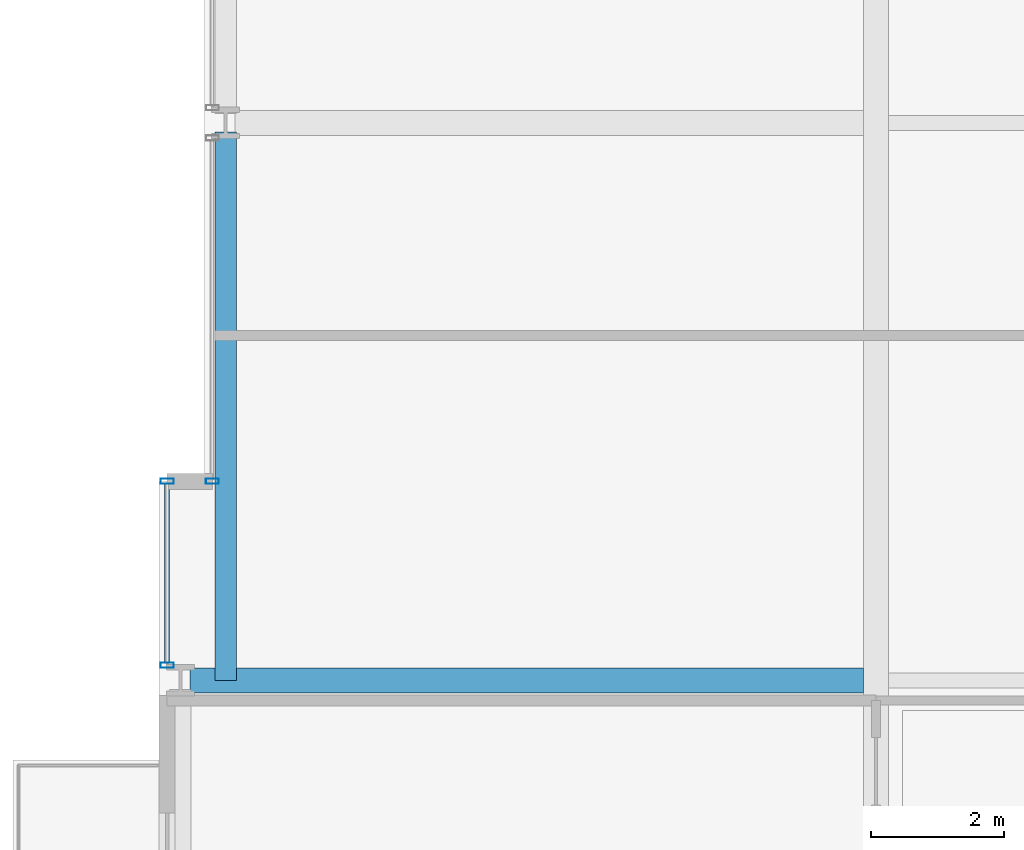
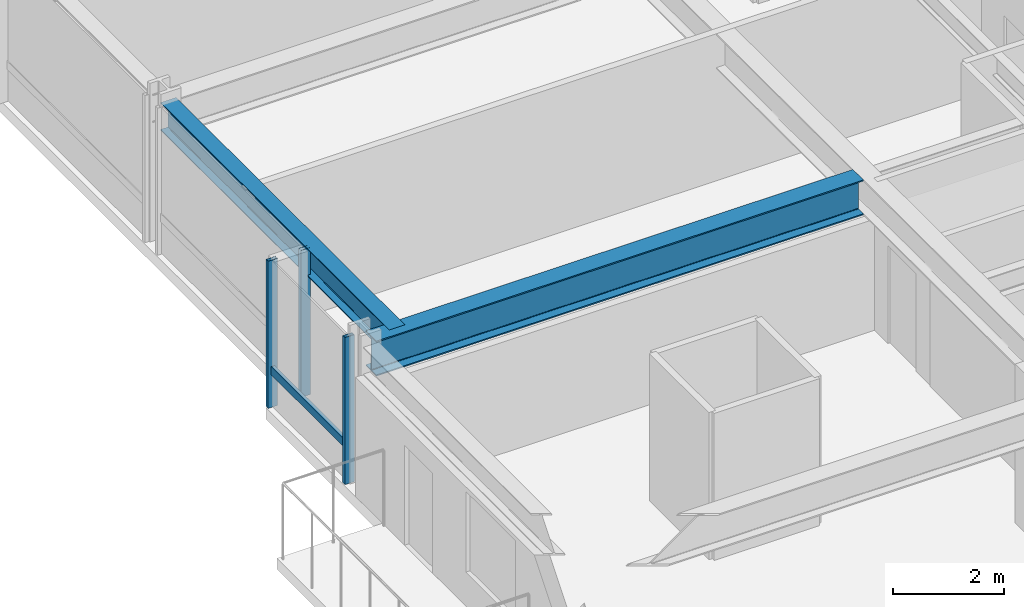
# One storey, part 7 of 38: 4 members, 2 beams, 2 elements without a shape of their own.
"""IFC4 building model written with IfcOpenShell, lengths in metres."""

from ifc_helpers import new_model, si_unit, direction, frame, origin, origin_2d, place, context, subcontext, project, spatial, hollow_rectangle, i_section, extrude, material, layer, layer_set, material_profile, profile_set, type_object, element, aggregate, save


model = new_model("IFC4")

# Units and contexts
model_context = context("Model", 3, precision=1e-05, world=origin(), true_north=direction((0.0, 1.0)))
body_context = subcontext(model_context, "Body", "Model", "MODEL_VIEW")
ifc_project = project(units=[si_unit("LENGTHUNIT", "METRE"), si_unit("AREAUNIT", "SQUARE_METRE"), si_unit("VOLUMEUNIT", "CUBIC_METRE"), si_unit("PLANEANGLEUNIT", "RADIAN"), si_unit("MASSUNIT", "GRAM", prefix="KILO")], contexts=[model_context])

# Site, building, storey
site_placement = place(None, origin())
site = spatial("IfcSite", under=ifc_project, at=site_placement, CompositionType="ELEMENT")
building_placement = place(site_placement, origin())
building = spatial("IfcBuilding", under=site, at=building_placement, Name="Drelvath Grand Hotel", CompositionType="ELEMENT")
storey_placement = place(building_placement, frame((0.0, 0.0, 61.199951171875)))
storey = spatial("IfcBuildingStorey", under=building, at=storey_placement, Name="L14", CompositionType="ELEMENT", Elevation=61.199951171875)

# Curtain wall, members
ifc_material_1 = material(Name="Warm Bronze Anodised Aluminium Frame", Category="aluminium")
ifc_layer = layer(ifc_material_1, 0.199951171875)
ifc_layer_set = layer_set([ifc_layer], Name="Warm Bronze Anodised Aluminium Frame")
curtain_wall_type = type_object("IfcCurtainWallType", Name="Stick Curtain Wall CW-02 Warm Bronze Low-Rise", PredefinedType="NOTDEFINED", material=ifc_layer_set)
curtain_wall_1_placement = place(storey_placement, origin())
curtain_wall_1 = element("IfcCurtainWall", 1, at=curtain_wall_1_placement, inside=storey, type_object=curtain_wall_type, Name="L14 CW-02 Curtain Wall CW02-L14-WS3", PredefinedType="NOTDEFINED")
ifc_material_profile_1 = material_profile(ifc_material_1, hollow_rectangle(XDim=0.074951171875, YDim=0.179931640625, WallThickness=0.0048828125, at=origin_2d()), Name="HSS180X75X5")
ifc_profile_set_1 = profile_set([ifc_material_profile_1], Name="Warm Bronze Anodised Aluminium Frame")
member_type_1 = type_object("IfcMemberType", Name="Curtain Wall Horizontal Transom CW-02 HSS180X75X5", PredefinedType="USERDEFINED", material=ifc_profile_set_1)
member_1_placement = place(storey_placement, frame((-26.8798828125, 18.869140625, 0.81005859375), z_axis=(0.0, 1.0, 0.0), x_axis=(-1.0, 0.0, 0.0)))
member_1 = element("IfcMember", 2, at=member_1_placement, type_object=member_type_1, Name="CW02-L14-WS3 Sill Transom", ObjectType="TRANSOM", PredefinedType="USERDEFINED", context=body_context, shape_type="SweptSolid", body=[
    extrude(hollow_rectangle(XDim=0.074951171875, YDim=0.179931640625, WallThickness=0.0048828125, at=origin_2d()), origin(), (0.0, 0.0, 1.0), 2.69091796875),
])
ifc_material_profile_2 = material_profile(ifc_material_1, hollow_rectangle(XDim=0.080078125, YDim=0.199951171875, WallThickness=0.0048828125, at=origin_2d()), Name="HSS200X80X5")
ifc_profile_set_2 = profile_set([ifc_material_profile_2], Name="Warm Bronze Anodised Aluminium Frame")
member_type_2 = type_object("IfcMemberType", Name="Curtain Wall Vertical Mullion CW-02 HSS200X80X5", PredefinedType="MULLION", material=ifc_profile_set_2)
member_2_placement = place(storey_placement, frame((-26.8798828125, 18.8291015625, 0.0), z_axis=(0.0, 0.0, 1.0), x_axis=(0.0, 1.0, 0.0)))
member_2 = element("IfcMember", 3, at=member_2_placement, type_object=member_type_2, Name="CW02-L14-WS3 Mullion 1", PredefinedType="MULLION", context=body_context, shape_type="SweptSolid", body=[
    extrude(hollow_rectangle(XDim=0.080078125, YDim=0.199951171875, WallThickness=0.0048828125, at=origin_2d()), origin(), (0.0, 0.0, 1.0), 3.239990234375),
])
member_3_placement = place(storey_placement, frame((-26.8798828125, 21.60009765625, 0.0), z_axis=(0.0, 0.0, 1.0), x_axis=(0.0, 1.0, 0.0)))
member_3 = element("IfcMember", 4, at=member_3_placement, type_object=member_type_2, Name="CW02-L14-WS3 Mullion 2", PredefinedType="MULLION", context=body_context, shape_type="SweptSolid", body=[
    extrude(hollow_rectangle(XDim=0.080078125, YDim=0.199951171875, WallThickness=0.0048828125, at=origin_2d()), origin(), (0.0, 0.0, 1.0), 3.239990234375),
])
aggregate(curtain_wall_1, [member_2, member_3, member_1])

# Curtain wall, member
curtain_wall_2_placement = place(storey_placement, origin())
curtain_wall_2 = element("IfcCurtainWall", 5, at=curtain_wall_2_placement, inside=storey, type_object=curtain_wall_type, Name="L14 CW-02 Curtain Wall CW02-L14-WM1", PredefinedType="NOTDEFINED")
member_4_placement = place(storey_placement, frame((-26.199951171875, 21.60009765625, 0.0), z_axis=(0.0, 0.0, 1.0), x_axis=(0.0, 1.0, 0.0)))
member_4 = element("IfcMember", 6, at=member_4_placement, type_object=member_type_2, Name="CW02-L14-WM1 Mullion 1", PredefinedType="MULLION", context=body_context, shape_type="SweptSolid", body=[
    extrude(hollow_rectangle(XDim=0.080078125, YDim=0.199951171875, WallThickness=0.0048828125, at=origin_2d()), origin(), (0.0, 0.0, 1.0), 3.239990234375),
])
aggregate(curtain_wall_2, [member_4])

# Beams
ifc_material_2 = material(Name="Steel ASTM A992 Gr 50", Category="steel")
ifc_material_profile_3 = material_profile(ifc_material_2, i_section(OverallWidth=0.323974609375, OverallDepth=0.611083984375, WebThickness=0.0126953125, FlangeThickness=0.01904296875, FilletRadius=0.02197265625, at=origin_2d()), Name="W24X104")
ifc_profile_set_3 = profile_set([ifc_material_profile_3], Name="Steel ASTM A992 Gr 50")
beam_type_1 = type_object("IfcBeamType", Name="Perimeter Spandrel Beam W24X104", PredefinedType="SPANDREL", material=ifc_profile_set_3)
beam_1_placement = place(storey_placement, frame((-26.0, 18.60009765625, 2.9345703125), z_axis=(0.0, 1.0, 0.0), x_axis=(-1.0, 0.0, 0.0)))
element("IfcBeam", 7, at=beam_1_placement, inside=storey, type_object=beam_type_1, Name="L14 Spandrel West Mid S", PredefinedType="SPANDREL", context=body_context, shape_type="SweptSolid", body=[
    extrude(i_section(OverallWidth=0.323974609375, OverallDepth=0.611083984375, WebThickness=0.0126953125, FlangeThickness=0.01904296875, FilletRadius=0.02197265625, at=origin_2d()), origin(), (0.0, 0.0, 1.0), 8.260009765625),
])
ifc_material_profile_4 = material_profile(ifc_material_2, i_section(OverallWidth=0.380615234375, OverallDepth=0.773193359375, WebThickness=0.0166015625, FlangeThickness=0.027099609375, FilletRadius=0.02490234375, at=origin_2d()), Name="W30X173")
ifc_profile_set_4 = profile_set([ifc_material_profile_4], Name="Steel ASTM A992 Gr 50")
beam_type_2 = type_object("IfcBeamType", Name="Primary Floor Girder W30X173", PredefinedType="BEAM", material=ifc_profile_set_4)
beam_2_placement = place(storey_placement, frame((-26.5400390625, 18.60009765625, 2.853515625), z_axis=(1.0, 0.0, 0.0), x_axis=(0.0, 1.0, 0.0)))
element("IfcBeam", 8, at=beam_2_placement, inside=storey, type_object=beam_type_2, Name="L14 West Wing Girder D", PredefinedType="BEAM", context=body_context, shape_type="SweptSolid", body=[
    extrude(i_section(OverallWidth=0.380615234375, OverallDepth=0.773193359375, WebThickness=0.0166015625, FlangeThickness=0.027099609375, FilletRadius=0.02490234375, at=origin_2d()), origin(), (0.0, 0.0, 1.0), 10.149658203125),
])

save(model, "model.ifc")
